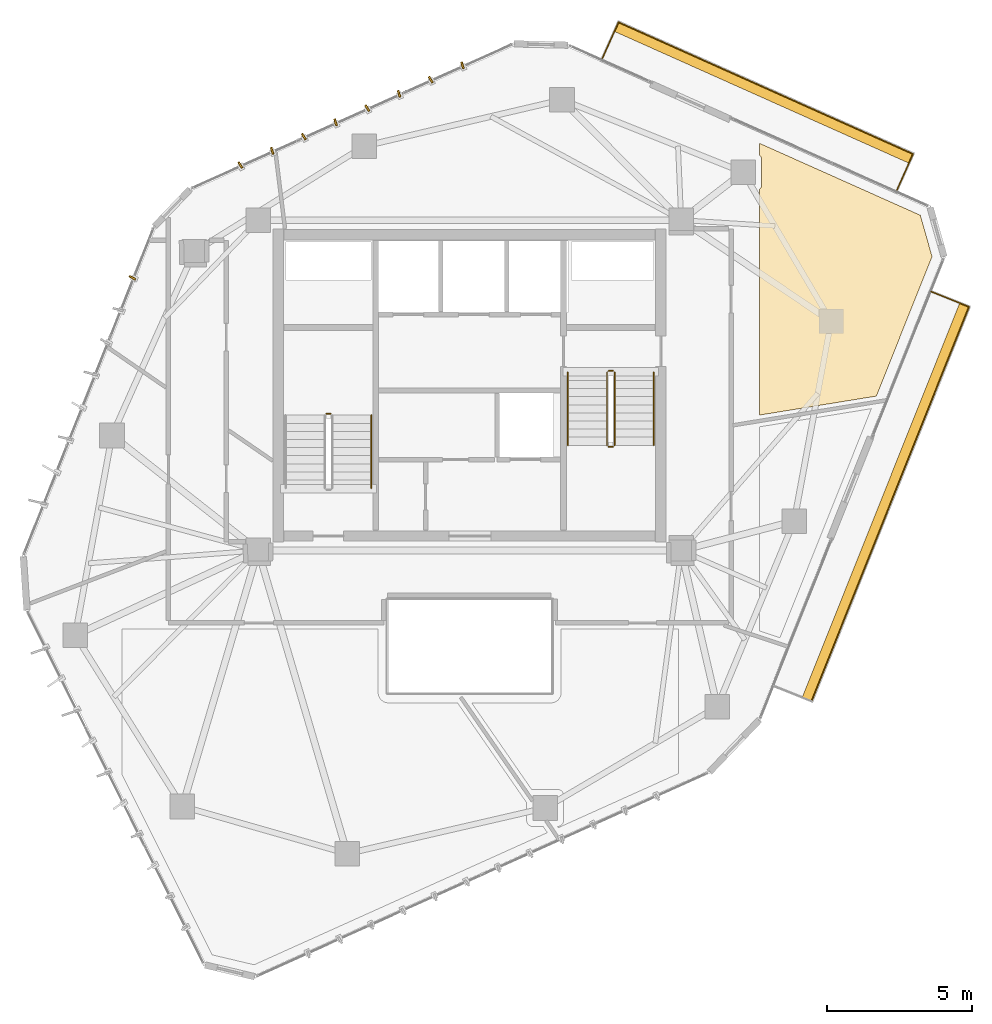
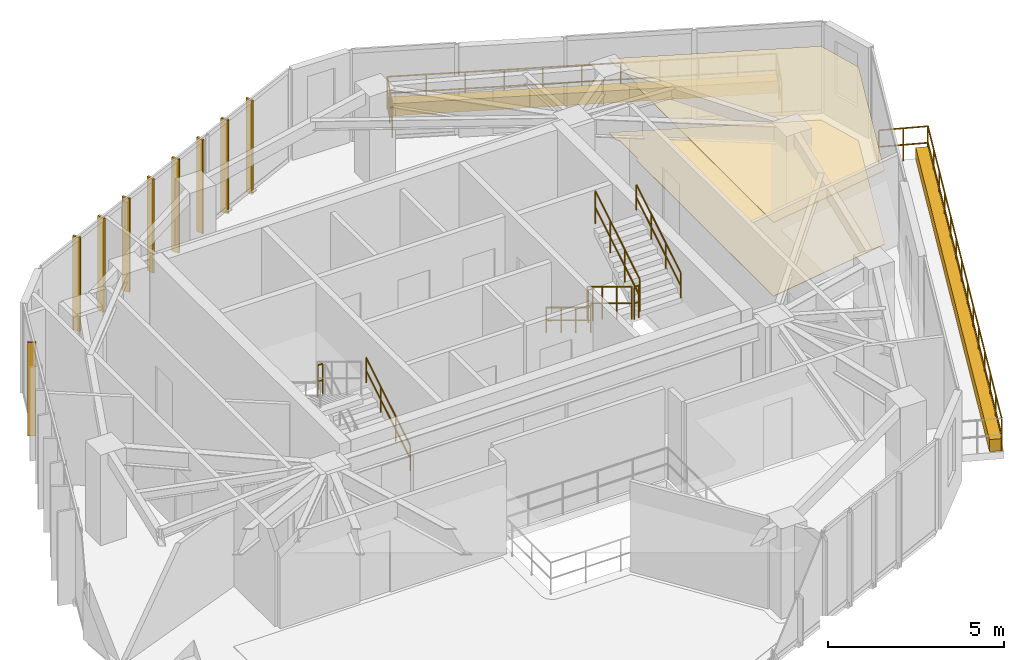
# One storey, part 21 of 21: 13 railings, 9 shading devices, 4 coverings.
"""IFC4 building model written with IfcOpenShell, lengths in metres."""

from ifc_helpers import new_model, si_unit, direction, frame, origin, origin_2d, place, context, subcontext, project, spatial, polyline, rectangle, circle, outline, extrude, source, transform, mapped, material, layer, layer_set, type_object, type_shapes, element, save


model = new_model("IFC4")

# Units and contexts
model_context = context("Model", 3, precision=1e-05, world=origin(), true_north=direction((0.0, 1.0)))
body_context = subcontext(model_context, "Body", "Model", "MODEL_VIEW")
ifc_project = project(units=[si_unit("LENGTHUNIT", "METRE"), si_unit("AREAUNIT", "SQUARE_METRE"), si_unit("VOLUMEUNIT", "CUBIC_METRE"), si_unit("PLANEANGLEUNIT", "RADIAN"), si_unit("MASSUNIT", "GRAM", prefix="KILO")], contexts=[model_context])

# Site, building, storey
site_placement = place(None, origin())
site = spatial("IfcSite", under=ifc_project, at=site_placement, CompositionType="ELEMENT")
building_placement = place(site_placement, origin())
building = spatial("IfcBuilding", under=site, at=building_placement, Name="Talar Marvaseh", CompositionType="ELEMENT")
storey_placement = place(building_placement, frame((0.0, 0.0, 271.39990234375)))
storey = spatial("IfcBuildingStorey", under=building, at=storey_placement, Name="L72", CompositionType="ELEMENT", Elevation=271.39990234375)

# Railings
ifc_material_1 = material(Name="Stainless Steel Grade 316", Category="steel")
railing_type_1 = type_object("IfcRailingType", Name="Brushed Stainless Wall Pitch Handrail 900", PredefinedType="HANDRAIL", material=ifc_material_1)
railing_1_placement = place(storey_placement, frame((22.610107421875, 27.64990234375, 0.170166015625)))
element("IfcRailing", 1, at=railing_1_placement, inside=storey, type_object=railing_type_1, Name="L72 ST-1 stair handrail 1", PredefinedType="HANDRAIL", context=body_context, shape_type="SweptSolid", body=[
    extrude(circle(Radius=0.02392578125, at=origin_2d()), frame((0.0, 0.0, 0.8759765625), z_axis=(0.0, 0.85478489116, 0.518982456201), x_axis=(-1.0, 0.0, 0.0)), (0.0, 0.0, 1.0), 2.9482421875),
    extrude(circle(Radius=0.02392578125, at=origin_2d()), frame((0.0, 0.0, 0.42578125), z_axis=(0.0, 0.85478489116, 0.518982456201), x_axis=(-1.0, 0.0, 0.0)), (0.0, 0.0, 1.0), 2.9482421875),
    extrude(circle(Radius=0.02099609375, at=origin_2d()), origin(), (0.0, 0.0, 1.0), 0.851806640625),
    extrude(circle(Radius=0.02099609375, at=origin_2d()), frame((0.0, 0.840087890625, 0.510009765625)), (0.0, 0.0, 1.0), 0.851806640625),
    extrude(circle(Radius=0.02099609375, at=origin_2d()), frame((0.0, 1.679931640625, 1.02001953125)), (0.0, 0.0, 1.0), 0.851806640625),
    extrude(circle(Radius=0.02099609375, at=origin_2d()), frame((0.0, 2.52001953125, 1.530029296875)), (0.0, 0.0, 1.0), 0.851806640625),
])
railing_2_placement = place(storey_placement, frame((29.389892578125, 31.64990234375, 0.170166015625)))
element("IfcRailing", 2, at=railing_2_placement, inside=storey, type_object=railing_type_1, Name="L72 ST-2 stair handrail 1", PredefinedType="HANDRAIL", context=body_context, shape_type="SweptSolid", body=[
    extrude(circle(Radius=0.02392578125, at=origin_2d()), frame((0.0, 0.0, 0.8759765625), z_axis=(0.0, -0.85478489116, 0.518982456201), x_axis=(1.0, 0.0, 0.0)), (0.0, 0.0, 1.0), 2.9482421875),
    extrude(circle(Radius=0.02392578125, at=origin_2d()), frame((0.0, 0.0, 0.42578125), z_axis=(0.0, -0.85478489116, 0.518982456201), x_axis=(1.0, 0.0, 0.0)), (0.0, 0.0, 1.0), 2.9482421875),
    extrude(circle(Radius=0.02099609375, at=origin_2d()), origin(), (0.0, 0.0, 1.0), 0.851806640625),
    extrude(circle(Radius=0.02099609375, at=origin_2d()), frame((0.0, -0.840087890625, 0.510009765625)), (0.0, 0.0, 1.0), 0.851806640625),
    extrude(circle(Radius=0.02099609375, at=origin_2d()), frame((0.0, -1.679931640625, 1.02001953125)), (0.0, 0.0, 1.0), 0.851806640625),
    extrude(circle(Radius=0.02099609375, at=origin_2d()), frame((0.0, -2.52001953125, 1.530029296875)), (0.0, 0.0, 1.0), 0.851806640625),
])
railing_3_placement = place(storey_placement, frame((32.35009765625, 29.1298828125, 1.8701171875)))
element("IfcRailing", 3, at=railing_3_placement, inside=storey, type_object=railing_type_1, Name="L72 ST-2 stair handrail 2", PredefinedType="HANDRAIL", context=body_context, shape_type="SweptSolid", body=[
    extrude(circle(Radius=0.02392578125, at=origin_2d()), frame((0.0, 0.0, 0.8759765625), z_axis=(0.0, 0.85478489116, 0.518982456201), x_axis=(-1.0, 0.0, 0.0)), (0.0, 0.0, 1.0), 2.9482421875),
    extrude(circle(Radius=0.02392578125, at=origin_2d()), frame((0.0, 0.0, 0.42578125), z_axis=(0.0, 0.85478489116, 0.518982456201), x_axis=(-1.0, 0.0, 0.0)), (0.0, 0.0, 1.0), 2.9482421875),
    extrude(circle(Radius=0.02099609375, at=origin_2d()), origin(), (0.0, 0.0, 1.0), 0.851806640625),
    extrude(circle(Radius=0.02099609375, at=origin_2d()), frame((0.0, 0.840087890625, 0.510009765625)), (0.0, 0.0, 1.0), 0.851806640625),
    extrude(circle(Radius=0.02099609375, at=origin_2d()), frame((0.0, 1.679931640625, 1.02001953125)), (0.0, 0.0, 1.0), 0.851806640625),
    extrude(circle(Radius=0.02099609375, at=origin_2d()), frame((0.0, 2.52001953125, 1.530029296875)), (0.0, 0.0, 1.0), 0.851806640625),
])
ifc_material_2 = material(Name="Tempered Clear Glass", Category="glass")
railing_type_2 = type_object("IfcRailingType", Name="External Laminated Glass Terrace Balustrade 1150", PredefinedType="BALUSTRADE", material=ifc_material_2)
railing_4_placement = place(storey_placement, frame((30.56103515625, 42.44384765625, 0.0)))
element("IfcRailing", 4, at=railing_4_placement, inside=storey, type_object=railing_type_2, Name="L72 External Terrace Balustrade 1 1", PredefinedType="BALUSTRADE", context=body_context, shape_type="SweptSolid", body=[
    extrude(circle(Radius=0.02392578125, at=origin_2d()), frame((0.0, 0.0, 1.1259765625), z_axis=(0.408290123976, 0.912852219509, 0.0), x_axis=(-0.912852219509, 0.408290123976, 0.0)), (0.0, 0.0, 1.0), 1.409912109375),
    extrude(circle(Radius=0.02392578125, at=origin_2d()), frame((0.0, 0.0, 0.55078125), z_axis=(0.408290123976, 0.912852219509, 0.0), x_axis=(-0.912852219509, 0.408290123976, 0.0)), (0.0, 0.0, 1.0), 1.409912109375),
    extrude(circle(Radius=0.02099609375, at=origin_2d()), origin(), (0.0, 0.0, 1.0), 1.101806640625),
    extrude(circle(Radius=0.02099609375, at=origin_2d()), frame((0.287841796875, 0.6435546875, 0.0)), (0.0, 0.0, 1.0), 1.101806640625),
    extrude(circle(Radius=0.02099609375, at=origin_2d()), frame((0.57568359375, 1.287109375, 0.0)), (0.0, 0.0, 1.0), 1.101806640625),
])
railing_5_placement = place(storey_placement, frame((31.13671875, 43.73095703125, 0.0)))
element("IfcRailing", 5, at=railing_5_placement, inside=storey, type_object=railing_type_2, Name="L72 External Terrace Balustrade 1 2", PredefinedType="BALUSTRADE", context=body_context, shape_type="SweptSolid", body=[
    extrude(circle(Radius=0.02392578125, at=origin_2d()), frame((0.0, 0.0, 1.1259765625), z_axis=(0.912861479602, -0.408269419696, 0.0), x_axis=(0.408269419696, 0.912861479602, 0.0)), (0.0, 0.0, 1.0), 11.134521484375),
    extrude(circle(Radius=0.02392578125, at=origin_2d()), frame((0.0, 0.0, 0.55078125), z_axis=(0.912861479602, -0.408269419696, 0.0), x_axis=(0.408269419696, 0.912861479602, 0.0)), (0.0, 0.0, 1.0), 11.134521484375),
    extrude(circle(Radius=0.02099609375, at=origin_2d()), origin(), (0.0, 0.0, 1.0), 1.101806640625),
    extrude(circle(Radius=0.02099609375, at=origin_2d()), frame((1.016357421875, -0.45458984375, 0.0)), (0.0, 0.0, 1.0), 1.101806640625),
    extrude(circle(Radius=0.02099609375, at=origin_2d()), frame((2.032958984375, -0.9091796875, 0.0)), (0.0, 0.0, 1.0), 1.101806640625),
    extrude(circle(Radius=0.02099609375, at=origin_2d()), frame((3.04931640625, -1.36376953125, 0.0)), (0.0, 0.0, 1.0), 1.101806640625),
    extrude(circle(Radius=0.02099609375, at=origin_2d()), frame((4.065673828125, -1.818359375, 0.0)), (0.0, 0.0, 1.0), 1.101806640625),
    extrude(circle(Radius=0.02099609375, at=origin_2d()), frame((5.08203125, -2.27294921875, 0.0)), (0.0, 0.0, 1.0), 1.101806640625),
    extrude(circle(Radius=0.02099609375, at=origin_2d()), frame((6.0986328125, -2.7275390625, 0.0)), (0.0, 0.0, 1.0), 1.101806640625),
    extrude(circle(Radius=0.02099609375, at=origin_2d()), frame((7.114990234375, -3.18212890625, 0.0)), (0.0, 0.0, 1.0), 1.101806640625),
    extrude(circle(Radius=0.02099609375, at=origin_2d()), frame((8.13134765625, -3.63671875, 0.0)), (0.0, 0.0, 1.0), 1.101806640625),
    extrude(circle(Radius=0.02099609375, at=origin_2d()), frame((9.14794921875, -4.09130859375, 0.0)), (0.0, 0.0, 1.0), 1.101806640625),
    extrude(circle(Radius=0.02099609375, at=origin_2d()), frame((10.164306640625, -4.5458984375, 0.0)), (0.0, 0.0, 1.0), 1.101806640625),
])
railing_6_placement = place(storey_placement, frame((41.301025390625, 39.18505859375, 0.0)))
element("IfcRailing", 6, at=railing_6_placement, inside=storey, type_object=railing_type_2, Name="L72 External Terrace Balustrade 1 3", PredefinedType="BALUSTRADE", context=body_context, shape_type="SweptSolid", body=[
    extrude(circle(Radius=0.02392578125, at=origin_2d()), frame((0.0, 0.0, 1.1259765625), z_axis=(-0.408145822067, -0.912916747535, 0.0), x_axis=(0.912916747535, -0.408145822067, 0.0)), (0.0, 0.0, 1.0), 1.409912109375),
    extrude(circle(Radius=0.02392578125, at=origin_2d()), frame((0.0, 0.0, 0.55078125), z_axis=(-0.408145822067, -0.912916747535, 0.0), x_axis=(0.912916747535, -0.408145822067, 0.0)), (0.0, 0.0, 1.0), 1.409912109375),
    extrude(circle(Radius=0.02099609375, at=origin_2d()), origin(), (0.0, 0.0, 1.0), 1.101806640625),
    extrude(circle(Radius=0.02099609375, at=origin_2d()), frame((-0.28759765625, -0.6435546875, 0.0)), (0.0, 0.0, 1.0), 1.101806640625),
    extrude(circle(Radius=0.02099609375, at=origin_2d()), frame((-0.575439453125, -1.287109375, 0.0)), (0.0, 0.0, 1.0), 1.101806640625),
])
railing_7_placement = place(storey_placement, frame((41.92431640625, 34.4326171875, 0.0)))
element("IfcRailing", 7, at=railing_7_placement, inside=storey, type_object=railing_type_2, Name="L72 External Terrace Balustrade 2 1", PredefinedType="BALUSTRADE", context=body_context, shape_type="SweptSolid", body=[
    extrude(circle(Radius=0.02392578125, at=origin_2d()), frame((0.0, 0.0, 1.1259765625), z_axis=(0.928751081188, -0.370703964359, 0.0), x_axis=(0.370703964359, 0.928751081188, 0.0)), (0.0, 0.0, 1.0), 1.409912109375),
    extrude(circle(Radius=0.02392578125, at=origin_2d()), frame((0.0, 0.0, 0.55078125), z_axis=(0.928751081188, -0.370703964359, 0.0), x_axis=(0.370703964359, 0.928751081188, 0.0)), (0.0, 0.0, 1.0), 1.409912109375),
    extrude(circle(Radius=0.02099609375, at=origin_2d()), origin(), (0.0, 0.0, 1.0), 1.101806640625),
    extrude(circle(Radius=0.02099609375, at=origin_2d()), frame((0.65478515625, -0.26123046875, 0.0)), (0.0, 0.0, 1.0), 1.101806640625),
    extrude(circle(Radius=0.02099609375, at=origin_2d()), frame((1.3095703125, -0.522705078125, 0.0)), (0.0, 0.0, 1.0), 1.101806640625),
])
railing_8_placement = place(storey_placement, frame((43.23388671875, 33.909912109375, 0.0)))
element("IfcRailing", 8, at=railing_8_placement, inside=storey, type_object=railing_type_2, Name="L72 External Terrace Balustrade 2 2", PredefinedType="BALUSTRADE", context=body_context, shape_type="SweptSolid", body=[
    extrude(circle(Radius=0.02392578125, at=origin_2d()), frame((0.0, 0.0, 1.1259765625), z_axis=(-0.370718011497, -0.928745474256, 0.0), x_axis=(0.928745474256, -0.370718011497, 0.0)), (0.0, 0.0, 1.0), 14.64501953125),
    extrude(circle(Radius=0.02392578125, at=origin_2d()), frame((0.0, 0.0, 0.55078125), z_axis=(-0.370718011497, -0.928745474256, 0.0), x_axis=(0.928745474256, -0.370718011497, 0.0)), (0.0, 0.0, 1.0), 14.64501953125),
    extrude(circle(Radius=0.02099609375, at=origin_2d()), origin(), (0.0, 0.0, 1.0), 1.101806640625),
    extrude(circle(Radius=0.02099609375, at=origin_2d()), frame((-0.417724609375, -1.04638671875, 0.0)), (0.0, 0.0, 1.0), 1.101806640625),
    extrude(circle(Radius=0.02099609375, at=origin_2d()), frame((-0.835205078125, -2.092529296875, 0.0)), (0.0, 0.0, 1.0), 1.101806640625),
    extrude(circle(Radius=0.02099609375, at=origin_2d()), frame((-1.2529296875, -3.138916015625, 0.0)), (0.0, 0.0, 1.0), 1.101806640625),
    extrude(circle(Radius=0.02099609375, at=origin_2d()), frame((-1.67041015625, -4.18505859375, 0.0)), (0.0, 0.0, 1.0), 1.101806640625),
    extrude(circle(Radius=0.02099609375, at=origin_2d()), frame((-2.088134765625, -5.2314453125, 0.0)), (0.0, 0.0, 1.0), 1.101806640625),
    extrude(circle(Radius=0.02099609375, at=origin_2d()), frame((-2.505859375, -6.277587890625, 0.0)), (0.0, 0.0, 1.0), 1.101806640625),
    extrude(circle(Radius=0.02099609375, at=origin_2d()), frame((-2.92333984375, -7.323974609375, 0.0)), (0.0, 0.0, 1.0), 1.101806640625),
    extrude(circle(Radius=0.02099609375, at=origin_2d()), frame((-3.341064453125, -8.3701171875, 0.0)), (0.0, 0.0, 1.0), 1.101806640625),
    extrude(circle(Radius=0.02099609375, at=origin_2d()), frame((-3.7587890625, -9.41650390625, 0.0)), (0.0, 0.0, 1.0), 1.101806640625),
    extrude(circle(Radius=0.02099609375, at=origin_2d()), frame((-4.17626953125, -10.462646484375, 0.0)), (0.0, 0.0, 1.0), 1.101806640625),
    extrude(circle(Radius=0.02099609375, at=origin_2d()), frame((-4.593994140625, -11.509033203125, 0.0)), (0.0, 0.0, 1.0), 1.101806640625),
    extrude(circle(Radius=0.02099609375, at=origin_2d()), frame((-5.011474609375, -12.55517578125, 0.0)), (0.0, 0.0, 1.0), 1.101806640625),
    extrude(circle(Radius=0.02099609375, at=origin_2d()), frame((-5.42919921875, -13.6015625, 0.0)), (0.0, 0.0, 1.0), 1.101806640625),
])
railing_type_3 = type_object("IfcRailingType", Name="Painted Steel Core Stair Well Guardrail 1150", PredefinedType="GUARDRAIL", material=ifc_material_1)
railing_9_placement = place(storey_placement, frame((21.2099609375, 30.219970703125, 1.7001953125)))
element("IfcRailing", 9, at=railing_9_placement, inside=storey, type_object=railing_type_3, Name="L72 ST-1 stair guard 2", PredefinedType="GUARDRAIL", context=body_context, shape_type="SweptSolid", body=[
    extrude(circle(Radius=0.02392578125, at=origin_2d()), frame((0.0, 0.0, 1.1259765625), z_axis=(-1.0, 0.0, 0.0), x_axis=(0.0, -1.0, 0.0)), (0.0, 0.0, 1.0), 0.159912109375),
    extrude(circle(Radius=0.02392578125, at=origin_2d()), frame((0.0, 0.0, 0.55078125), z_axis=(-1.0, 0.0, 0.0), x_axis=(0.0, -1.0, 0.0)), (0.0, 0.0, 1.0), 0.159912109375),
    extrude(circle(Radius=0.02099609375, at=origin_2d()), origin(), (0.0, 0.0, 1.0), 1.101806640625),
    extrude(circle(Radius=0.02099609375, at=origin_2d()), frame((-0.159912109375, 0.0, 0.0)), (0.0, 0.0, 1.0), 1.101806640625),
])
railing_10_placement = place(storey_placement, frame((30.739990234375, 31.64990234375, 0.170166015625)))
element("IfcRailing", 10, at=railing_10_placement, inside=storey, type_object=railing_type_3, Name="L72 ST-2 stair guard 1", PredefinedType="GUARDRAIL", context=body_context, shape_type="SweptSolid", body=[
    extrude(circle(Radius=0.02392578125, at=origin_2d()), frame((0.0, 0.0, 1.1259765625), z_axis=(0.0, -0.85478489116, 0.518982456201), x_axis=(1.0, 0.0, 0.0)), (0.0, 0.0, 1.0), 2.9482421875),
    extrude(circle(Radius=0.02392578125, at=origin_2d()), frame((0.0, 0.0, 0.55078125), z_axis=(0.0, -0.85478489116, 0.518982456201), x_axis=(1.0, 0.0, 0.0)), (0.0, 0.0, 1.0), 2.9482421875),
    extrude(circle(Radius=0.02099609375, at=origin_2d()), origin(), (0.0, 0.0, 1.0), 1.101806640625),
    extrude(circle(Radius=0.02099609375, at=origin_2d()), frame((0.0, -0.840087890625, 0.510009765625)), (0.0, 0.0, 1.0), 1.101806640625),
    extrude(circle(Radius=0.02099609375, at=origin_2d()), frame((0.0, -1.679931640625, 1.02001953125)), (0.0, 0.0, 1.0), 1.101806640625),
    extrude(circle(Radius=0.02099609375, at=origin_2d()), frame((0.0, -2.52001953125, 1.530029296875)), (0.0, 0.0, 1.0), 1.101806640625),
])
railing_11_placement = place(storey_placement, frame((30.7900390625, 29.080078125, 1.7001953125)))
element("IfcRailing", 11, at=railing_11_placement, inside=storey, type_object=railing_type_3, Name="L72 ST-2 stair guard 2", PredefinedType="GUARDRAIL", context=body_context, shape_type="SweptSolid", body=[
    extrude(circle(Radius=0.02392578125, at=origin_2d()), frame((0.0, 0.0, 1.1259765625), z_axis=(1.0, 0.0, 0.0), x_axis=(0.0, 1.0, 0.0)), (0.0, 0.0, 1.0), 0.159912109375),
    extrude(circle(Radius=0.02392578125, at=origin_2d()), frame((0.0, 0.0, 0.55078125), z_axis=(1.0, 0.0, 0.0), x_axis=(0.0, 1.0, 0.0)), (0.0, 0.0, 1.0), 0.159912109375),
    extrude(circle(Radius=0.02099609375, at=origin_2d()), origin(), (0.0, 0.0, 1.0), 1.101806640625),
    extrude(circle(Radius=0.02099609375, at=origin_2d()), frame((0.159912109375, 0.0, 0.0)), (0.0, 0.0, 1.0), 1.101806640625),
])
railing_12_placement = place(storey_placement, frame((31.0, 29.1298828125, 1.8701171875)))
element("IfcRailing", 12, at=railing_12_placement, inside=storey, type_object=railing_type_3, Name="L72 ST-2 stair guard 3", PredefinedType="GUARDRAIL", context=body_context, shape_type="SweptSolid", body=[
    extrude(circle(Radius=0.02392578125, at=origin_2d()), frame((0.0, 0.0, 1.1259765625), z_axis=(0.0, 0.85478489116, 0.518982456201), x_axis=(-1.0, 0.0, 0.0)), (0.0, 0.0, 1.0), 2.9482421875),
    extrude(circle(Radius=0.02392578125, at=origin_2d()), frame((0.0, 0.0, 0.55078125), z_axis=(0.0, 0.85478489116, 0.518982456201), x_axis=(-1.0, 0.0, 0.0)), (0.0, 0.0, 1.0), 2.9482421875),
    extrude(circle(Radius=0.02099609375, at=origin_2d()), origin(), (0.0, 0.0, 1.0), 1.101806640625),
    extrude(circle(Radius=0.02099609375, at=origin_2d()), frame((0.0, 0.840087890625, 0.510009765625)), (0.0, 0.0, 1.0), 1.101806640625),
    extrude(circle(Radius=0.02099609375, at=origin_2d()), frame((0.0, 1.679931640625, 1.02001953125)), (0.0, 0.0, 1.0), 1.101806640625),
    extrude(circle(Radius=0.02099609375, at=origin_2d()), frame((0.0, 2.52001953125, 1.530029296875)), (0.0, 0.0, 1.0), 1.101806640625),
])
railing_13_placement = place(storey_placement, frame((30.7900390625, 31.699951171875, 0.0)))
element("IfcRailing", 13, at=railing_13_placement, inside=storey, type_object=railing_type_3, Name="L72 ST-2 stair guard 4", PredefinedType="GUARDRAIL", context=body_context, shape_type="SweptSolid", body=[
    extrude(circle(Radius=0.02392578125, at=origin_2d()), frame((0.0, 0.0, 1.1259765625), z_axis=(1.0, 0.0, 0.0), x_axis=(0.0, 1.0, 0.0)), (0.0, 0.0, 1.0), 0.159912109375),
    extrude(circle(Radius=0.02392578125, at=origin_2d()), frame((0.0, 0.0, 0.55078125), z_axis=(1.0, 0.0, 0.0), x_axis=(0.0, 1.0, 0.0)), (0.0, 0.0, 1.0), 0.159912109375),
    extrude(circle(Radius=0.02099609375, at=origin_2d()), origin(), (0.0, 0.0, 1.0), 1.101806640625),
    extrude(circle(Radius=0.02099609375, at=origin_2d()), frame((0.159912109375, 0.0, 0.0)), (0.0, 0.0, 1.0), 1.101806640625),
])

# Coverings
ifc_material_3 = material(Name="Mineral Fibre Acoustic Ceiling")
ifc_layer_1 = layer(ifc_material_3, 0.02490234375)
ifc_layer_set_1 = layer_set([ifc_layer_1], Name="Mineral Fibre Acoustic Ceiling")
covering_type_1 = type_object("IfcCoveringType", Name="Perforated Mineral Fibre Acoustic Suspended Ceiling", PredefinedType="CEILING", material=ifc_layer_set_1)
covering_1_placement = place(storey_placement, frame((0.0, 0.0, 2.56005859375)))
element("IfcCovering", 14, at=covering_1_placement, inside=storey, type_object=covering_type_1, Name="L72 Scholars' Servery Pantry Acoustic Ceiling", PredefinedType="CEILING", context=body_context, shape_type="SweptSolid", body=[
    extrude(outline(polyline([(41.95458984375, 35.641845703125), (40.033447265625, 30.828369140625), (36.0, 30.1728515625), (36.0, 37.96044921875), (36.0, 37.96044921875), (36.0146484375, 37.9736328125), (36.02783203125, 37.988037109375), (36.03955078125, 38.00390625), (36.0498046875, 38.0205078125), (36.05810546875, 38.0380859375), (36.064697265625, 38.056640625), (36.069580078125, 38.075439453125), (36.072509765625, 38.094970703125), (36.073486328125, 38.114501953125), (36.077880859375, 38.9765625), (36.0771484375, 38.9951171875), (36.07470703125, 39.013671875), (36.0703125, 39.03173828125), (36.064453125, 39.049560546875), (36.056884765625, 39.066650390625), (36.0478515625, 39.0830078125), (36.037353515625, 39.09814453125), (36.025390625, 39.112548828125), (36.01220703125, 39.125732421875), (36.0, 39.13671875), (36.0, 39.55126953125), (41.550048828125, 37.069091796875), (41.95458984375, 35.641845703125)])), origin(), (0.0, 0.0, 1.0), 0.025146484375),
])
ifc_material_4 = material(Name="Planted Terrace Vegetated Substrate")
ifc_layer_2 = layer(ifc_material_4, 0.39990234375)
ifc_layer_set_2 = layer_set([ifc_layer_2], Name="Planted Terrace Vegetated Substrate")
covering_type_2 = type_object("IfcCoveringType", Name="Planted Terrace Soil Planter Box Cladding", PredefinedType="CLADDING", material=ifc_layer_set_2)
covering_2_placement = place(storey_placement, origin())
element("IfcCovering", 15, at=covering_2_placement, inside=storey, type_object=covering_type_2, Name="L72 Balcony Structural Planter 1", PredefinedType="CLADDING", context=body_context, shape_type="SweptSolid", body=[
    extrude(outline(polyline([(31.13671875, 43.73095703125), (41.301025390625, 39.18505859375), (41.158203125, 38.865478515625), (30.993896484375, 43.41162109375), (31.13671875, 43.73095703125)])), origin(), (0.0, 0.0, 1.0), 0.420166015625),
])
covering_3_placement = place(storey_placement, origin())
element("IfcCovering", 16, at=covering_3_placement, inside=storey, type_object=covering_type_2, Name="L72 Balcony Structural Planter 2", PredefinedType="CLADDING", context=body_context, shape_type="SweptSolid", body=[
    extrude(outline(polyline([(43.23388671875, 33.909912109375), (37.8046875, 20.308349609375), (37.479736328125, 20.43798828125), (42.90869140625, 34.039794921875), (43.23388671875, 33.909912109375)])), origin(), (0.0, 0.0, 1.0), 0.420166015625),
])
ifc_material_5 = material(Name="Porcelain Stoneware Tile", Category="masonry")
ifc_layer_3 = layer(ifc_material_5, 0.02001953125)
ifc_layer_set_3 = layer_set([ifc_layer_3], Name="Porcelain Stoneware Tile")
covering_type_3 = type_object("IfcCoveringType", Name="Polished Porcelain Stoneware Gallery Flooring", PredefinedType="FLOORING", material=ifc_layer_set_3)
covering_4_placement = place(storey_placement, origin())
element("IfcCovering", 17, at=covering_4_placement, inside=storey, type_object=covering_type_3, Name="L72 Scholars' Servery Pantry Flooring", PredefinedType="FLOORING", context=body_context, shape_type="SweptSolid", body=[
    extrude(outline(polyline([(41.95458984375, 35.641845703125), (40.033447265625, 30.828369140625), (36.0, 30.1728515625), (36.0, 37.96044921875), (36.0, 37.96044921875), (36.0146484375, 37.9736328125), (36.02783203125, 37.988037109375), (36.03955078125, 38.00390625), (36.0498046875, 38.0205078125), (36.05810546875, 38.0380859375), (36.064697265625, 38.056640625), (36.069580078125, 38.075439453125), (36.072509765625, 38.094970703125), (36.073486328125, 38.114501953125), (36.077880859375, 38.9765625), (36.0771484375, 38.9951171875), (36.07470703125, 39.013671875), (36.0703125, 39.03173828125), (36.064453125, 39.049560546875), (36.056884765625, 39.066650390625), (36.0478515625, 39.0830078125), (36.037353515625, 39.09814453125), (36.025390625, 39.112548828125), (36.01220703125, 39.125732421875), (36.0, 39.13671875), (36.0, 39.55126953125), (41.550048828125, 37.069091796875), (41.95458984375, 35.641845703125)])), origin(), (0.0, 0.0, 1.0), 0.02001953125),
])

# Shading devices
ifc_material_6 = material(Name="Anodised Champagne Bronze Aluminium", Category="aluminium")
ifc_layer_4 = layer(ifc_material_6, 0.06494140625)
ifc_layer_set_4 = layer_set([ifc_layer_4], Name="Anodised Champagne Bronze Aluminium")
shading_device_type = type_object("IfcShadingDeviceType", Name="Sawtooth Champagne Bronze Vertical Fin 240", PredefinedType="USERDEFINED", material=ifc_layer_set_4)
shared_shape = source(origin(), body_context, "Body", "SweptSolid", [
    extrude(rectangle(XDim=0.239990234375, YDim=0.06494140625, at=origin_2d()), origin(), (0.0, 0.0, 1.0), 3.260009765625),
])
type_shapes(shading_device_type, [shared_shape])
for number, where, z_axis, x_axis, name in (
    (18, (14.364501953125, 34.909912109375, -0.1201171875), (0.0, 0.0, 1.0), (-0.868804409216, 0.495155428655, 0.0), "L72 Sawtooth Vertical Solar Fin"),
    (19, (18.089599609375, 38.801025390625, -0.1201171875), (0.0, 0.0, 1.0), (-0.532580866475, 0.846379123481, 0.0), "L72 Sawtooth Vertical Solar Fin"),
    (20, (19.18408203125, 39.292724609375, -0.1201171875), (0.0, 0.0, 1.0), (-0.278655883317, 0.960391013438, 0.0), "L72 Sawtooth Vertical Solar Fin"),
    (21, (20.27880859375, 39.7841796875, -0.1201171875), (0.0, 0.0, 1.0), (-0.532580866475, 0.846379123481, 0.0), "L72 Sawtooth Vertical Solar Fin"),
    (22, (21.37353515625, 40.27587890625, -0.1201171875), (0.0, 0.0, 1.0), (-0.278655883317, 0.960391013438, 0.0), "L72 Sawtooth Vertical Solar Fin"),
    (23, (22.46826171875, 40.767333984375, -0.1201171875), (0.0, 0.0, 1.0), (-0.532580866475, 0.846379123481, 0.0), "L72 Sawtooth Vertical Solar Fin"),
    (24, (23.56298828125, 41.2587890625, -0.1201171875), (0.0, 0.0, 1.0), (-0.278655883317, 0.960391013438, 0.0), "L72 Sawtooth Vertical Solar Fin"),
    (25, (24.65771484375, 41.75048828125, -0.1201171875), (0.0, 0.0, 1.0), (-0.532580866475, 0.846379123481, 0.0), "L72 Sawtooth Vertical Solar Fin"),
    (26, (25.75244140625, 42.2421875, -0.1201171875), (0.0, 0.0, 1.0), (-0.278655883317, 0.960391013438, 0.0), "L72 Sawtooth Vertical Solar Fin"),
):
    element("IfcShadingDevice", number, at=place(storey_placement, frame(where, z_axis=z_axis, x_axis=x_axis)), inside=storey, type_object=shading_device_type, Name=name, ObjectType="FIN", PredefinedType="USERDEFINED", context=body_context, shape_type="MappedRepresentation", body=[
        mapped(shared_shape, transform((0.0, 0.0, 0.0), x_axis=(1.0, 0.0, 0.0), y_axis=(0.0, 1.0, 0.0), z_axis=(0.0, 0.0, 1.0), scale=1.0)),
    ])

save(model, "model.ifc")
